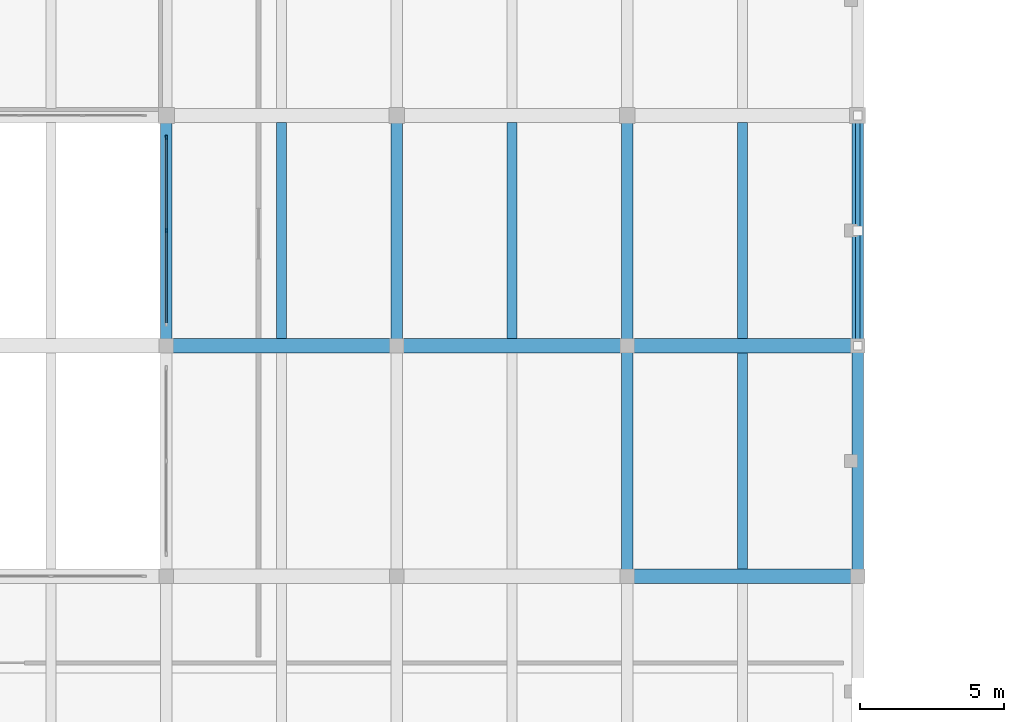
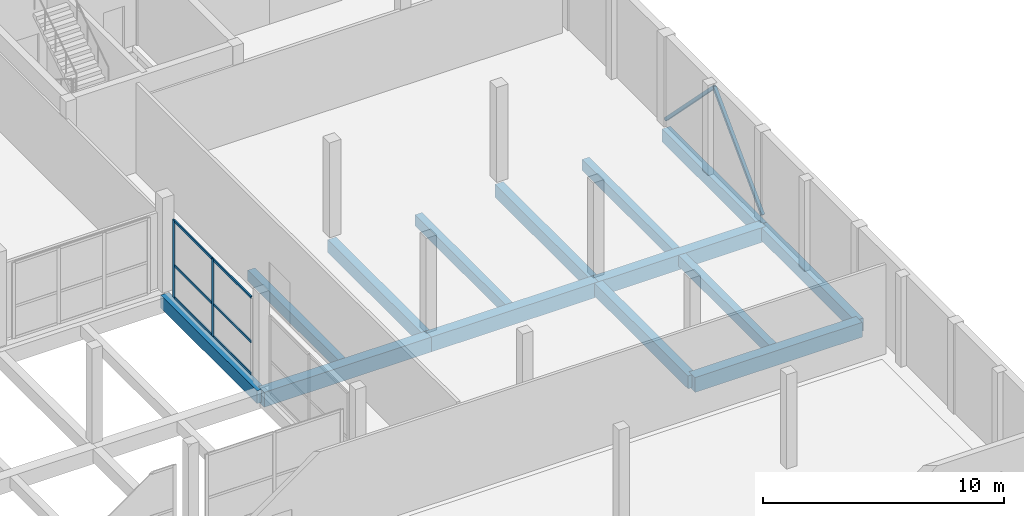
# One storey, part 7 of 47: 14 beams, 10 members, 1 element without a shape of its own.
"""IFC4 building model written with IfcOpenShell, lengths in metres."""

from ifc_helpers import new_model, si_unit, direction, frame, origin, origin_2d, place, context, subcontext, project, spatial, rectangle, hollow_rectangle, extrude, material, material_profile, profile_set, type_object, element, aggregate, save


model = new_model("IFC4")

# Units and contexts
model_context = context("Model", 3, precision=1e-05, world=origin(), true_north=direction((0.0, 1.0)))
body_context = subcontext(model_context, "Body", "Model", "MODEL_VIEW")
ifc_project = project(units=[si_unit("LENGTHUNIT", "METRE"), si_unit("AREAUNIT", "SQUARE_METRE"), si_unit("VOLUMEUNIT", "CUBIC_METRE"), si_unit("PLANEANGLEUNIT", "RADIAN"), si_unit("MASSUNIT", "GRAM", prefix="KILO")], contexts=[model_context])

# Site, building, storey
site_placement = place(None, origin())
site = spatial("IfcSite", under=ifc_project, at=site_placement, CompositionType="ELEMENT")
building_placement = place(site_placement, origin())
building = spatial("IfcBuilding", under=site, at=building_placement, Name="Vharandega Faculty of Natural Sciences", CompositionType="ELEMENT")
storey_placement = place(building_placement, frame((0.0, 0.0, 5.39990234375)))
storey = spatial("IfcBuildingStorey", under=building, at=storey_placement, Name="L01", CompositionType="ELEMENT", Elevation=5.39990234375)

# Curtain wall, members
ifc_material_1 = material(Name="Aluminium and solar-control glass curtain wall", Category="aluminium")
curtain_wall_type = type_object("IfcCurtainWallType", Name="Unitised Curtain Wall System CW-19", PredefinedType="NOTDEFINED", material=ifc_material_1)
curtain_wall_placement = place(storey_placement, origin())
curtain_wall = element("IfcCurtainWall", 1, at=curtain_wall_placement, inside=storey, type_object=curtain_wall_type, Name="Curtain Wall CW-L01-130", PredefinedType="NOTDEFINED")
ifc_material_2 = material(Name="Thermally broken aluminium 6063-T6", Category="aluminium")
ifc_material_profile_1 = material_profile(ifc_material_2, rectangle(XDim=0.06005859375, YDim=0.159912109375, at=origin_2d()), Name="ALU 60x160")
ifc_profile_set_1 = profile_set([ifc_material_profile_1], Name="Thermally broken aluminium 6063-T6")
member_type_1 = type_object("IfcMemberType", Name="CW Mullion 60x160", PredefinedType="MULLION", material=ifc_profile_set_1)
member_1_placement = place(storey_placement, frame((32.0, 28.0, 0.0), z_axis=(0.0, 0.0, 1.0), x_axis=(-1.0, 0.0, 0.0)))
member_1 = element("IfcMember", 2, at=member_1_placement, type_object=member_type_1, Name="CW-19 mullion 2", PredefinedType="MULLION", context=body_context, shape_type="SweptSolid", body=[
    extrude(rectangle(XDim=0.06005859375, YDim=0.159912109375, at=origin_2d()), origin(), (0.0, 0.0, 1.0), 3.920166015625),
])
member_2_placement = place(storey_placement, frame((32.0, 31.22998046875, 0.0), z_axis=(0.0, 0.0, 1.0), x_axis=(-1.0, 0.0, 0.0)))
member_2 = element("IfcMember", 3, at=member_2_placement, type_object=member_type_1, Name="CW-19 mullion 3", PredefinedType="MULLION", context=body_context, shape_type="SweptSolid", body=[
    extrude(rectangle(XDim=0.06005859375, YDim=0.159912109375, at=origin_2d()), origin(), (0.0, 0.0, 1.0), 3.920166015625),
])
ifc_material_3 = material(Name="Thermally broken aluminium 6063-T6", Category="aluminium")
ifc_material_profile_2 = material_profile(ifc_material_3, rectangle(XDim=0.06005859375, YDim=0.1201171875, at=origin_2d()), Name="ALU 60x120")
ifc_profile_set_2 = profile_set([ifc_material_profile_2], Name="Thermally broken aluminium 6063-T6")
member_type_2 = type_object("IfcMemberType", Name="CW Transom 60x120", PredefinedType="USERDEFINED", material=ifc_profile_set_2)
member_3_placement = place(storey_placement, frame((32.0, 24.800048828125, 0.030029296875), z_axis=(0.0, 1.0, 0.0), x_axis=(-1.0, 0.0, 0.0)))
member_3 = element("IfcMember", 4, at=member_3_placement, type_object=member_type_2, Name="CW-19 transom 1.1", ObjectType="TRANSOM", PredefinedType="USERDEFINED", context=body_context, shape_type="SweptSolid", body=[
    extrude(rectangle(XDim=0.06005859375, YDim=0.1201171875, at=origin_2d()), origin(), (0.0, 0.0, 1.0), 3.169921875),
])
member_4_placement = place(storey_placement, frame((32.0, 24.800048828125, 1.646484375), z_axis=(0.0, 1.0, 0.0), x_axis=(-1.0, 0.0, 0.0)))
member_4 = element("IfcMember", 5, at=member_4_placement, type_object=member_type_2, Name="CW-19 transom 1.2", ObjectType="TRANSOM", PredefinedType="USERDEFINED", context=body_context, shape_type="SweptSolid", body=[
    extrude(rectangle(XDim=0.06005859375, YDim=0.1201171875, at=origin_2d()), origin(), (0.0, 0.0, 1.0), 3.169921875),
])
member_5_placement = place(storey_placement, frame((32.0, 24.800048828125, 3.89013671875), z_axis=(0.0, 1.0, 0.0), x_axis=(-1.0, 0.0, 0.0)))
member_5 = element("IfcMember", 6, at=member_5_placement, type_object=member_type_2, Name="CW-19 transom 1.3", ObjectType="TRANSOM", PredefinedType="USERDEFINED", context=body_context, shape_type="SweptSolid", body=[
    extrude(rectangle(XDim=0.06005859375, YDim=0.1201171875, at=origin_2d()), origin(), (0.0, 0.0, 1.0), 3.169921875),
])
member_6_placement = place(storey_placement, frame((32.0, 28.030029296875, 0.030029296875), z_axis=(0.0, 1.0, 0.0), x_axis=(-1.0, 0.0, 0.0)))
member_6 = element("IfcMember", 7, at=member_6_placement, type_object=member_type_2, Name="CW-19 transom 2.1", ObjectType="TRANSOM", PredefinedType="USERDEFINED", context=body_context, shape_type="SweptSolid", body=[
    extrude(rectangle(XDim=0.06005859375, YDim=0.1201171875, at=origin_2d()), origin(), (0.0, 0.0, 1.0), 3.169921875),
])
member_7_placement = place(storey_placement, frame((32.0, 28.030029296875, 1.646484375), z_axis=(0.0, 1.0, 0.0), x_axis=(-1.0, 0.0, 0.0)))
member_7 = element("IfcMember", 8, at=member_7_placement, type_object=member_type_2, Name="CW-19 transom 2.2", ObjectType="TRANSOM", PredefinedType="USERDEFINED", context=body_context, shape_type="SweptSolid", body=[
    extrude(rectangle(XDim=0.06005859375, YDim=0.1201171875, at=origin_2d()), origin(), (0.0, 0.0, 1.0), 3.169921875),
])
member_8_placement = place(storey_placement, frame((32.0, 28.030029296875, 3.89013671875), z_axis=(0.0, 1.0, 0.0), x_axis=(-1.0, 0.0, 0.0)))
member_8 = element("IfcMember", 9, at=member_8_placement, type_object=member_type_2, Name="CW-19 transom 2.3", ObjectType="TRANSOM", PredefinedType="USERDEFINED", context=body_context, shape_type="SweptSolid", body=[
    extrude(rectangle(XDim=0.06005859375, YDim=0.1201171875, at=origin_2d()), origin(), (0.0, 0.0, 1.0), 3.169921875),
])
aggregate(curtain_wall, [member_1, member_2, member_3, member_4, member_5, member_6, member_7, member_8])

# Beams
ifc_material_4 = material(Name="Concrete C40/50", Category="concrete")
ifc_material_profile_3 = material_profile(ifc_material_4, rectangle(XDim=0.39990234375, YDim=0.64990234375, at=origin_2d()), Name="RC 400x650")
ifc_profile_set_3 = profile_set([ifc_material_profile_3], Name="Concrete C40/50")
beam_type_1 = type_object("IfcBeamType", Name="Podium Floor Beam 400x650", PredefinedType="BEAM", material=ifc_profile_set_3)
for number, where, z_axis, x_axis, name in (
    (10, (32.0, 24.0, -0.60498046875), (0.0, 1.0, 0.0), (-1.0, 0.0, 0.0), "Beam L01 5/D-E"),
    (11, (40.0, 24.0, -0.60498046875), (0.0, 1.0, 0.0), (-1.0, 0.0, 0.0), "Beam L01 6/D-E"),
    (12, (48.0, 16.0, -0.60498046875), (0.0, 1.0, 0.0), (-1.0, 0.0, 0.0), "Beam L01 7/C-D"),
    (13, (48.0, 24.0, -0.60498046875), (0.0, 1.0, 0.0), (-1.0, 0.0, 0.0), "Beam L01 7/D-E"),
    (14, (56.0, 16.0, -0.60498046875), (0.0, 1.0, 0.0), (-1.0, 0.0, 0.0), "Beam L01 8/C-D"),
    (15, (56.0, 24.0, -0.60498046875), (0.0, 1.0, 0.0), (-1.0, 0.0, 0.0), "Beam L01 8/D-E"),
):
    element("IfcBeam", number, at=place(storey_placement, frame(where, z_axis=z_axis, x_axis=x_axis)), inside=storey, type_object=beam_type_1, Name=name, PredefinedType="BEAM", context=body_context, shape_type="SweptSolid", body=[
        extrude(rectangle(XDim=0.39990234375, YDim=0.64990234375, at=origin_2d()), origin(), (0.0, 0.0, 1.0), 8.0),
    ])
ifc_material_5 = material(Name="Concrete C40/50", Category="concrete")
ifc_material_profile_4 = material_profile(ifc_material_5, rectangle(XDim=0.5, YDim=0.75, at=origin_2d()), Name="RC 500x750")
ifc_profile_set_4 = profile_set([ifc_material_profile_4], Name="Concrete C40/50")
beam_type_2 = type_object("IfcBeamType", Name="Podium Primary Beam 500x750", PredefinedType="BEAM", material=ifc_profile_set_4)
for number, where, z_axis, x_axis, name in (
    (16, (48.0, 16.0, -0.65478515625), (1.0, 0.0, 0.0), (0.0, 1.0, 0.0), "Beam L01 C/7-8"),
    (17, (32.0, 24.0, -0.65478515625), (1.0, 0.0, 0.0), (0.0, 1.0, 0.0), "Beam L01 D/5-6"),
    (18, (40.0, 24.0, -0.65478515625), (1.0, 0.0, 0.0), (0.0, 1.0, 0.0), "Beam L01 D/6-7"),
    (19, (48.0, 24.0, -0.65478515625), (1.0, 0.0, 0.0), (0.0, 1.0, 0.0), "Beam L01 D/7-8"),
):
    element("IfcBeam", number, at=place(storey_placement, frame(where, z_axis=z_axis, x_axis=x_axis)), inside=storey, type_object=beam_type_2, Name=name, PredefinedType="BEAM", context=body_context, shape_type="SweptSolid", body=[
        extrude(rectangle(XDim=0.5, YDim=0.75, at=origin_2d()), origin(), (0.0, 0.0, 1.0), 8.0),
    ])
ifc_material_6 = material(Name="Concrete C40/50", Category="concrete")
ifc_material_profile_5 = material_profile(ifc_material_6, rectangle(XDim=0.35009765625, YDim=0.550048828125, at=origin_2d()), Name="RC 350x550")
ifc_profile_set_5 = profile_set([ifc_material_profile_5], Name="Concrete C40/50")
beam_type_3 = type_object("IfcBeamType", Name="Podium Secondary Beam 350x550", PredefinedType="JOIST", material=ifc_profile_set_5)
for number, where, z_axis, x_axis, name in (
    (20, (36.0, 24.25, -0.554931640625), (0.0, 1.0, 0.0), (-1.0, 0.0, 0.0), "Secondary Joist L01 5-6/D-E"),
    (21, (44.0, 24.25, -0.554931640625), (0.0, 1.0, 0.0), (-1.0, 0.0, 0.0), "Secondary Joist L01 6-7/D-E"),
    (22, (52.0, 16.25, -0.554931640625), (0.0, 1.0, 0.0), (-1.0, 0.0, 0.0), "Secondary Joist L01 7-8/C-D"),
    (23, (52.0, 24.25, -0.554931640625), (0.0, 1.0, 0.0), (-1.0, 0.0, 0.0), "Secondary Joist L01 7-8/D-E"),
):
    element("IfcBeam", number, at=place(storey_placement, frame(where, z_axis=z_axis, x_axis=x_axis)), inside=storey, type_object=beam_type_3, Name=name, PredefinedType="JOIST", context=body_context, shape_type="SweptSolid", body=[
        extrude(rectangle(XDim=0.35009765625, YDim=0.550048828125, at=origin_2d()), origin(), (0.0, 0.0, 1.0), 7.5),
    ])

# Members
ifc_material_7 = material(Name="Steel S355", Category="steel")
ifc_material_profile_6 = material_profile(ifc_material_7, hollow_rectangle(XDim=0.14990234375, YDim=0.14990234375, WallThickness=0.010009765625, at=origin_2d()), Name="SHS 150x150x10")
ifc_profile_set_6 = profile_set([ifc_material_profile_6], Name="Steel S355")
member_type_3 = type_object("IfcMemberType", Name="Timber Frame Diagonal Brace SHS 150", PredefinedType="BRACE", material=ifc_profile_set_6)
for number, where, z_axis, x_axis, name in (
    (24, (56.0, 24.0, 0.150146484375), (0.0, 0.701818373541, 0.712355929687), (-1.0, 0.0, 0.0), "Chevron Brace E8 L01-1"),
    (25, (56.0, 32.0, 0.150146484375), (0.0, -0.701818373541, 0.712355929687), (1.0, 0.0, 0.0), "Chevron Brace E8 L01-2"),
):
    element("IfcMember", number, at=place(storey_placement, frame(where, z_axis=z_axis, x_axis=x_axis)), inside=storey, type_object=member_type_3, Name=name, PredefinedType="BRACE", context=body_context, shape_type="SweptSolid", body=[
        extrude(hollow_rectangle(XDim=0.14990234375, YDim=0.14990234375, WallThickness=0.010009765625, at=origin_2d()), origin(), (0.0, 0.0, 1.0), 5.699462890625),
    ])

save(model, "model.ifc")
